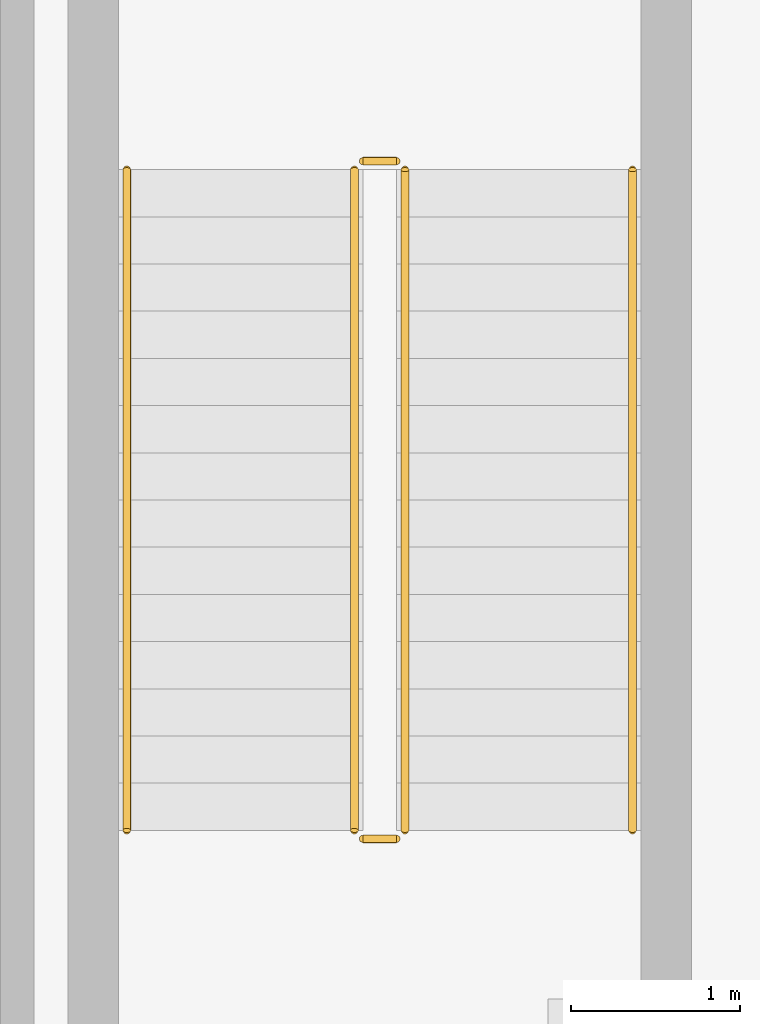
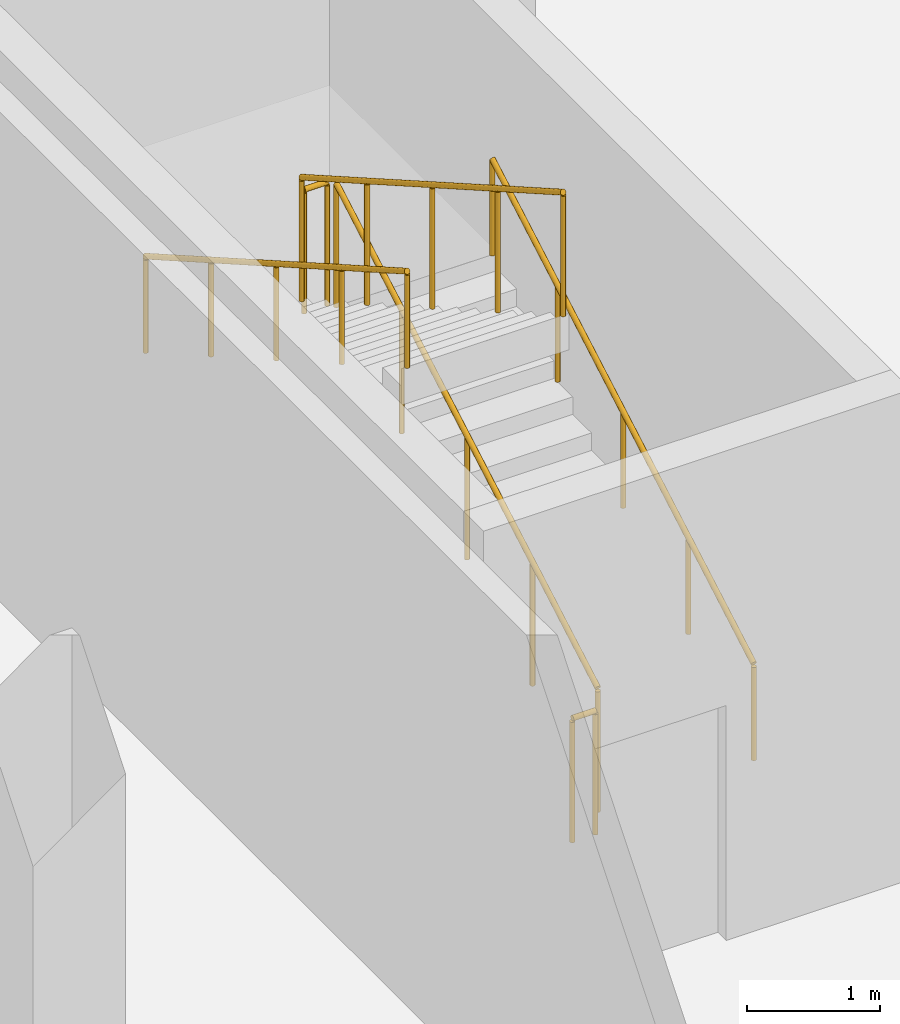
# One storey, part 15 of 18: 6 railings.
"""IFC4 building model written with IfcOpenShell, lengths in metres."""

from ifc_helpers import new_model, si_unit, direction, frame, origin, origin_2d, place, context, subcontext, project, spatial, circle, extrude, material, type_object, element, save


model = new_model("IFC4")

# Units and contexts
model_context = context("Model", 3, precision=1e-05, world=origin(), true_north=direction((0.0, 1.0)))
body_context = subcontext(model_context, "Body", "Model", "MODEL_VIEW")
ifc_project = project(units=[si_unit("LENGTHUNIT", "METRE"), si_unit("AREAUNIT", "SQUARE_METRE"), si_unit("VOLUMEUNIT", "CUBIC_METRE"), si_unit("PLANEANGLEUNIT", "RADIAN"), si_unit("MASSUNIT", "GRAM", prefix="KILO")], contexts=[model_context])

# Site, building, storey
site_placement = place(None, origin())
site = spatial("IfcSite", under=ifc_project, at=site_placement, CompositionType="ELEMENT")
building_placement = place(site_placement, origin())
building = spatial("IfcBuilding", under=site, at=building_placement, Name="Brinegate Botanical Conservatory", CompositionType="ELEMENT")
storey_placement = place(building_placement, frame((0.0, 0.0, -9.60009765625)))
storey = spatial("IfcBuildingStorey", under=building, at=storey_placement, Name="B2", CompositionType="ELEMENT", Elevation=-9.60009765625)

# Railings
ifc_material_1 = material(Name="Structural steel Q355B / S355 painted tubular guardrail", Category="steel")
railing_type_1 = type_object("IfcRailingType", Name="Rail_ST-GRD", PredefinedType="GUARDRAIL", material=ifc_material_1)
railing_1_placement = place(storey_placement, frame((14.10009765625, 96.89990234375, 0.16015625)))
element("IfcRailing", 1, at=railing_1_placement, inside=storey, type_object=railing_type_1, Name="B2 ST8 stair guard 1", PredefinedType="GUARDRAIL", context=body_context, shape_type="SweptSolid", body=[
    extrude(circle(Radius=0.02392578125, at=origin_2d()), frame((0.0, 0.0, 1.1259765625), z_axis=(0.0, 0.86825312469, 0.496121468458), x_axis=(-1.0, 0.0, 0.0)), (0.0, 0.0, 1.0), 4.514892578125),
    extrude(circle(Radius=0.02099609375, at=origin_2d()), origin(), (0.0, 0.0, 1.0), 1.101806640625),
    extrude(circle(Radius=0.02099609375, at=origin_2d()), frame((0.0, 0.97998046875, 0.56005859375)), (0.0, 0.0, 1.0), 1.101806640625),
    extrude(circle(Radius=0.02099609375, at=origin_2d()), frame((0.0, 1.9599609375, 1.1201171875)), (0.0, 0.0, 1.0), 1.101806640625),
    extrude(circle(Radius=0.02099609375, at=origin_2d()), frame((0.0, 2.940185546875, 1.679931640625)), (0.0, 0.0, 1.0), 1.101806640625),
    extrude(circle(Radius=0.02099609375, at=origin_2d()), frame((0.0, 3.920166015625, 2.239990234375)), (0.0, 0.0, 1.0), 1.101806640625),
])
railing_2_placement = place(storey_placement, frame((14.050048828125, 100.8701171875, 2.400146484375)))
element("IfcRailing", 2, at=railing_2_placement, inside=storey, type_object=railing_type_1, Name="B2 ST8 stair guard 2", PredefinedType="GUARDRAIL", context=body_context, shape_type="SweptSolid", body=[
    extrude(circle(Radius=0.02392578125, at=origin_2d()), frame((0.0, 0.0, 1.1259765625), z_axis=(-1.0, 0.0, 0.0), x_axis=(0.0, -1.0, 0.0)), (0.0, 0.0, 1.0), 0.199951171875),
    extrude(circle(Radius=0.02099609375, at=origin_2d()), origin(), (0.0, 0.0, 1.0), 1.101806640625),
    extrude(circle(Radius=0.02099609375, at=origin_2d()), frame((-0.199951171875, 0.0, 0.0)), (0.0, 0.0, 1.0), 1.101806640625),
])
railing_3_placement = place(storey_placement, frame((13.800048828125, 100.820068359375, 2.56005859375)))
element("IfcRailing", 3, at=railing_3_placement, inside=storey, type_object=railing_type_1, Name="B2 ST8 stair guard 3", PredefinedType="GUARDRAIL", context=body_context, shape_type="SweptSolid", body=[
    extrude(circle(Radius=0.02392578125, at=origin_2d()), frame((0.0, 0.0, 1.1259765625), z_axis=(0.0, -0.86825312469, 0.496121468458), x_axis=(1.0, 0.0, 0.0)), (0.0, 0.0, 1.0), 4.514892578125),
    extrude(circle(Radius=0.02099609375, at=origin_2d()), origin(), (0.0, 0.0, 1.0), 1.101806640625),
    extrude(circle(Radius=0.02099609375, at=origin_2d()), frame((0.0, -0.97998046875, 0.56005859375)), (0.0, 0.0, 1.0), 1.101806640625),
    extrude(circle(Radius=0.02099609375, at=origin_2d()), frame((0.0, -1.9599609375, 1.1201171875)), (0.0, 0.0, 1.0), 1.101806640625),
    extrude(circle(Radius=0.02099609375, at=origin_2d()), frame((0.0, -2.940185546875, 1.679931640625)), (0.0, 0.0, 1.0), 1.101806640625),
    extrude(circle(Radius=0.02099609375, at=origin_2d()), frame((0.0, -3.920166015625, 2.239990234375)), (0.0, 0.0, 1.0), 1.101806640625),
])
railing_4_placement = place(storey_placement, frame((14.050048828125, 96.85009765625, 0.0)))
element("IfcRailing", 4, at=railing_4_placement, inside=storey, type_object=railing_type_1, Name="B2 ST8 stair guard 4", PredefinedType="GUARDRAIL", context=body_context, shape_type="SweptSolid", body=[
    extrude(circle(Radius=0.02392578125, at=origin_2d()), frame((0.0, 0.0, 1.1259765625), z_axis=(-1.0, 0.0, 0.0), x_axis=(0.0, -1.0, 0.0)), (0.0, 0.0, 1.0), 0.199951171875),
    extrude(circle(Radius=0.02099609375, at=origin_2d()), origin(), (0.0, 0.0, 1.0), 1.101806640625),
    extrude(circle(Radius=0.02099609375, at=origin_2d()), frame((-0.199951171875, 0.0, 0.0)), (0.0, 0.0, 1.0), 1.101806640625),
])
ifc_material_2 = material(Name="Brushed stainless steel S355 handrail", Category="steel")
railing_type_2 = type_object("IfcRailingType", Name="Rail_ST-HND", PredefinedType="HANDRAIL", material=ifc_material_2)
railing_5_placement = place(storey_placement, frame((15.449951171875, 96.89990234375, 0.16015625)))
element("IfcRailing", 5, at=railing_5_placement, inside=storey, type_object=railing_type_2, Name="B2 ST8 stair handrail 1", PredefinedType="HANDRAIL", context=body_context, shape_type="SweptSolid", body=[
    extrude(circle(Radius=0.02392578125, at=origin_2d()), frame((0.0, 0.0, 0.8759765625), z_axis=(0.0, 0.86825312469, 0.496121468458), x_axis=(-1.0, 0.0, 0.0)), (0.0, 0.0, 1.0), 4.514892578125),
    extrude(circle(Radius=0.02099609375, at=origin_2d()), origin(), (0.0, 0.0, 1.0), 0.851806640625),
    extrude(circle(Radius=0.02099609375, at=origin_2d()), frame((0.0, 0.97998046875, 0.56005859375)), (0.0, 0.0, 1.0), 0.851806640625),
    extrude(circle(Radius=0.02099609375, at=origin_2d()), frame((0.0, 1.9599609375, 1.1201171875)), (0.0, 0.0, 1.0), 0.851806640625),
    extrude(circle(Radius=0.02099609375, at=origin_2d()), frame((0.0, 2.940185546875, 1.679931640625)), (0.0, 0.0, 1.0), 0.851806640625),
    extrude(circle(Radius=0.02099609375, at=origin_2d()), frame((0.0, 3.920166015625, 2.239990234375)), (0.0, 0.0, 1.0), 0.851806640625),
])
railing_6_placement = place(storey_placement, frame((12.449951171875, 100.820068359375, 2.56005859375)))
element("IfcRailing", 6, at=railing_6_placement, inside=storey, type_object=railing_type_2, Name="B2 ST8 stair handrail 2", PredefinedType="HANDRAIL", context=body_context, shape_type="SweptSolid", body=[
    extrude(circle(Radius=0.02392578125, at=origin_2d()), frame((0.0, 0.0, 0.8759765625), z_axis=(0.0, -0.86825312469, 0.496121468458), x_axis=(1.0, 0.0, 0.0)), (0.0, 0.0, 1.0), 4.514892578125),
    extrude(circle(Radius=0.02099609375, at=origin_2d()), origin(), (0.0, 0.0, 1.0), 0.851806640625),
    extrude(circle(Radius=0.02099609375, at=origin_2d()), frame((0.0, -0.97998046875, 0.56005859375)), (0.0, 0.0, 1.0), 0.851806640625),
    extrude(circle(Radius=0.02099609375, at=origin_2d()), frame((0.0, -1.9599609375, 1.1201171875)), (0.0, 0.0, 1.0), 0.851806640625),
    extrude(circle(Radius=0.02099609375, at=origin_2d()), frame((0.0, -2.940185546875, 1.679931640625)), (0.0, 0.0, 1.0), 0.851806640625),
    extrude(circle(Radius=0.02099609375, at=origin_2d()), frame((0.0, -3.920166015625, 2.239990234375)), (0.0, 0.0, 1.0), 0.851806640625),
])

save(model, "model.ifc")
